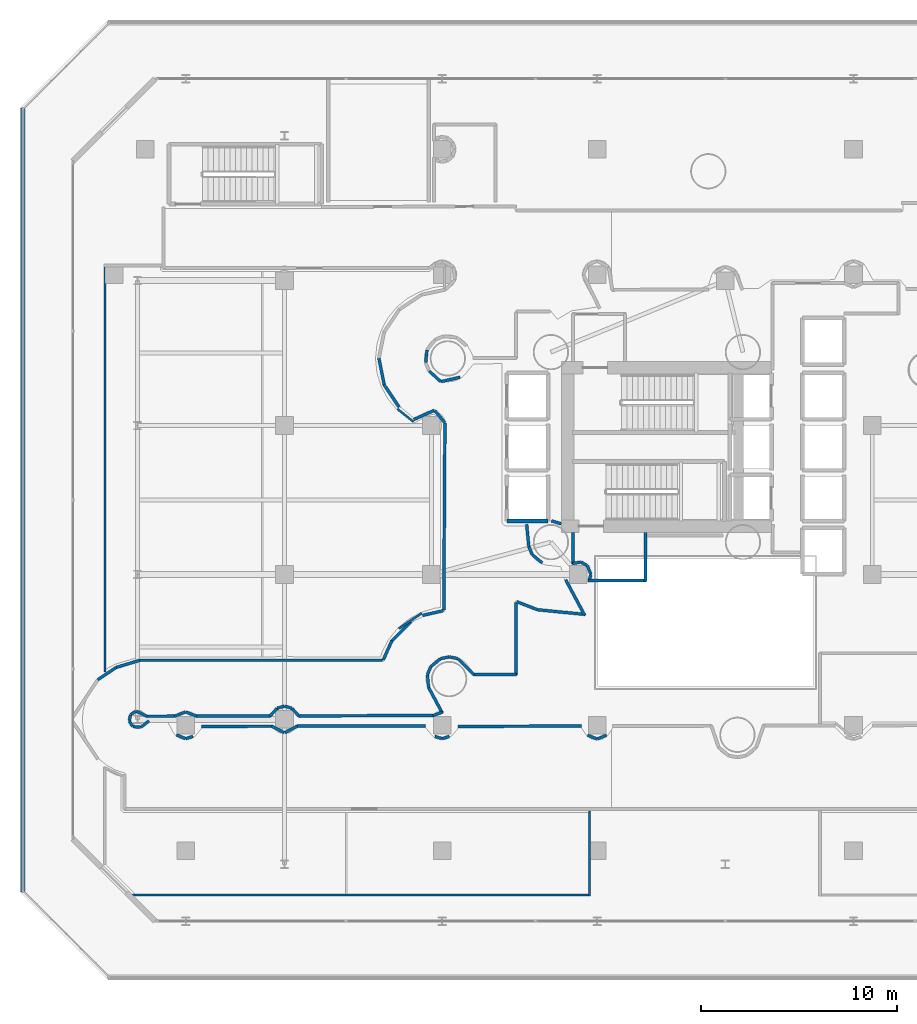
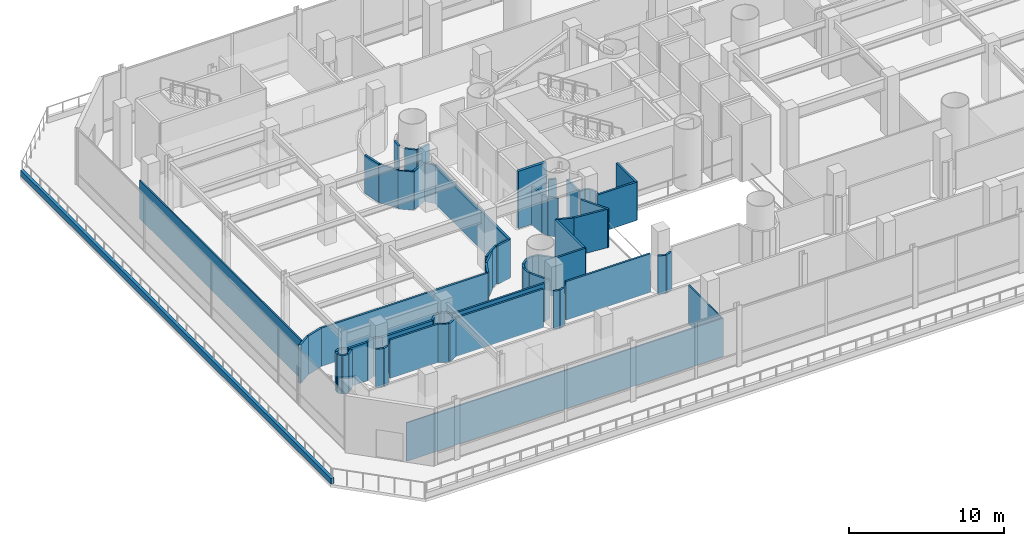
# One storey, part 26 of 39: 71 walls.
"""IFC4 building model written with IfcOpenShell, lengths in metres."""

from ifc_helpers import new_model, si_unit, direction, frame, frame_2d, origin, place, context, subcontext, project, spatial, rectangle, extrude, material, layer, layer_set, type_object, element, save


model = new_model("IFC4")

# Units and contexts
model_context = context("Model", 3, precision=1e-05, world=origin(), true_north=direction((0.0, 1.0)))
body_context = subcontext(model_context, "Body", "Model", "MODEL_VIEW")
ifc_project = project(units=[si_unit("LENGTHUNIT", "METRE"), si_unit("AREAUNIT", "SQUARE_METRE"), si_unit("VOLUMEUNIT", "CUBIC_METRE"), si_unit("PLANEANGLEUNIT", "RADIAN"), si_unit("MASSUNIT", "GRAM", prefix="KILO")], contexts=[model_context])

# Site, building, storey
site_placement = place(None, origin())
site = spatial("IfcSite", under=ifc_project, at=site_placement, CompositionType="ELEMENT")
building_placement = place(site_placement, origin())
building = spatial("IfcBuilding", under=site, at=building_placement, Name="Qianvela Tower", CompositionType="ELEMENT")
storey_placement = place(building_placement, frame((0.0, 0.0, 15.800048828125)))
storey = spatial("IfcBuildingStorey", under=building, at=storey_placement, Name="L03", CompositionType="ELEMENT", Elevation=15.800048828125)

# Walls
ifc_material_1 = material(Name="Fire-Rated Acoustic Gypsum Board")
ifc_layer_1 = layer(ifc_material_1, 0.14990234375)
ifc_layer_set_1 = layer_set([ifc_layer_1], Name="Fire-Rated Acoustic Gypsum Board")
wall_type_1 = type_object("IfcWallType", Name="WT-CORR-150", PredefinedType="PARTITIONING", material=ifc_layer_set_1)
wall_1_placement = place(storey_placement, frame((30.56689453125, 21.9638671875, 0.0), z_axis=(0.0, 0.0, 1.0), x_axis=(0.304515297416, 0.952507445451, 0.0)))
element("IfcWall", 1, at=wall_1_placement, inside=storey, type_object=wall_type_1, Name="L03 Partition 5", PredefinedType="PARTITIONING", context=body_context, shape_type="SweptSolid", body=[
    extrude(rectangle(XDim=0.238037109375, YDim=0.14990234375, at=frame_2d((0.119140625, 0.0))), origin(), (0.0, 0.0, 1.0), 3.02001953125),
])
wall_2_placement = place(storey_placement, frame((30.638671875, 22.2119140625, 0.0), z_axis=(0.0, 0.0, 1.0), x_axis=(-0.382721202621, 0.923863886655, 0.0)))
element("IfcWall", 2, at=wall_2_placement, inside=storey, type_object=wall_type_1, Name="L03 Partition 6", PredefinedType="PARTITIONING", context=body_context, shape_type="SweptSolid", body=[
    extrude(rectangle(XDim=0.467041015625, YDim=0.14990234375, at=frame_2d((0.2333984375, 0.0))), origin(), (0.0, 0.0, 1.0), 3.02001953125),
])
wall_3_placement = place(storey_placement, frame((30.44580078125, 22.65869140625, 0.0), z_axis=(0.0, 0.0, 1.0), x_axis=(-0.881817981942, 0.471589913721, 0.0)))
element("IfcWall", 3, at=wall_3_placement, inside=storey, type_object=wall_type_1, Name="L03 Partition 7", PredefinedType="PARTITIONING", context=body_context, shape_type="SweptSolid", body=[
    extrude(rectangle(XDim=0.35400390625, YDim=0.14990234375, at=frame_2d((0.177001953125, 0.0))), origin(), (0.0, 0.0, 1.0), 3.02001953125),
])
wall_4_placement = place(storey_placement, frame((30.114013671875, 22.828857421875, 0.0), z_axis=(0.0, 0.0, 1.0), x_axis=(-0.986222627979, -0.165423480989, 0.0)))
element("IfcWall", 4, at=wall_4_placement, inside=storey, type_object=wall_type_1, Name="L03 Partition 8", PredefinedType="PARTITIONING", context=body_context, shape_type="SweptSolid", body=[
    extrude(rectangle(XDim=0.425048828125, YDim=0.14990234375, at=frame_2d((0.21240234375, 0.0))), origin(), (0.0, 0.0, 1.0), 3.02001953125),
])
wall_5_placement = place(storey_placement, frame((29.73095703125, 22.72802734375, 0.0), z_axis=(0.0, 0.0, 1.0), x_axis=(0.0, 1.0, 0.0)))
element("IfcWall", 5, at=wall_5_placement, inside=storey, type_object=wall_type_1, Name="L03 Partition 9", PredefinedType="PARTITIONING", context=body_context, shape_type="SweptSolid", body=[
    extrude(rectangle(XDim=1.614013671875, YDim=0.14990234375, at=frame_2d((0.80712890625, 0.0))), origin(), (0.0, 0.0, 1.0), 3.02001953125),
])
wall_6_placement = place(storey_placement, frame((33.4189453125, 24.342041015625, 0.0), z_axis=(0.0, 0.0, 1.0), x_axis=(0.0, -1.0, 0.0)))
element("IfcWall", 6, at=wall_6_placement, inside=storey, type_object=wall_type_1, Name="L03 Partition 11", PredefinedType="PARTITIONING", context=body_context, shape_type="SweptSolid", body=[
    extrude(rectangle(XDim=2.491943359375, YDim=0.14990234375, at=frame_2d((1.24609375, 0.0))), origin(), (0.0, 0.0, 1.0), 3.02001953125),
])
wall_7_placement = place(storey_placement, frame((33.449951171875, 21.881103515625, 0.0), z_axis=(0.0, 0.0, 1.0), x_axis=(-1.0, 0.0, 0.0)))
element("IfcWall", 7, at=wall_7_placement, inside=storey, type_object=wall_type_1, Name="L03 Partition 12", PredefinedType="PARTITIONING", context=body_context, shape_type="SweptSolid", body=[
    extrude(rectangle(XDim=2.951904296875, YDim=0.14990234375, at=frame_2d((1.47607421875, 0.0))), origin(), (0.0, 0.0, 1.0), 3.02001953125),
])
wall_8_placement = place(storey_placement, frame((29.1298828125, 24.781982421875, 0.0), z_axis=(0.0, 0.0, 1.0), x_axis=(-0.955000482512, 0.296604245422, 0.0)))
element("IfcWall", 8, at=wall_8_placement, inside=storey, type_object=wall_type_1, Name="L03 Partition 29", PredefinedType="PARTITIONING", context=body_context, shape_type="SweptSolid", body=[
    extrude(rectangle(XDim=0.5244140625, YDim=0.14990234375, at=frame_2d((0.26220703125, 0.0))), origin(), (0.0, 0.0, 1.0), 3.02001953125),
])
wall_9_placement = place(storey_placement, frame((7.982177734375, 14.9580078125, 0.0), z_axis=(0.0, 0.0, 1.0), x_axis=(-0.901711421795, 0.432338422771, 0.0)))
element("IfcWall", 9, at=wall_9_placement, inside=storey, type_object=wall_type_1, Name="L03 Partition 36", PredefinedType="PARTITIONING", context=body_context, shape_type="SweptSolid", body=[
    extrude(rectangle(XDim=0.6064453125, YDim=0.14990234375, at=frame_2d((0.30322265625, 0.0))), origin(), (0.0, 0.0, 1.0), 3.02001953125),
])
for number, where, z_axis, x_axis, name in (
    (10, (7.40478515625, 15.218017578125, 0.0), (0.0, 0.0, 1.0), (-0.83180482467, -0.555068224325, 0.0), "L03 Partition 37"),
    (11, (7.136962890625, 15.0283203125, 0.0), (0.0, 0.0, 1.0), (-0.194582302114, -0.980886195083, 0.0), "L03 Partition 38"),
    (12, (7.081787109375, 14.70458984375, 0.0), (0.0, 0.0, 1.0), (0.555988102953, -0.831190248604, 0.0), "L03 Partition 39"),
):
    element("IfcWall", number, at=place(storey_placement, frame(where, z_axis=z_axis, x_axis=x_axis)), inside=storey, type_object=wall_type_1, Name=name, PredefinedType="PARTITIONING", context=body_context, shape_type="SweptSolid", body=[
        extrude(rectangle(XDim=0.30615234375, YDim=0.14990234375, at=frame_2d((0.153076171875, 0.0))), origin(), (0.0, 0.0, 1.0), 3.02001953125),
    ])
wall_10_placement = place(storey_placement, frame((7.274658203125, 14.4365234375, 0.0), z_axis=(0.0, 0.0, 1.0), x_axis=(0.995208778937, -0.097772625647, 0.0)))
element("IfcWall", 13, at=wall_10_placement, inside=storey, type_object=wall_type_1, Name="L03 Partition 40", PredefinedType="PARTITIONING", context=body_context, shape_type="SweptSolid", body=[
    extrude(rectangle(XDim=0.376953125, YDim=0.14990234375, at=frame_2d((0.1884765625, 0.0))), origin(), (0.0, 0.0, 1.0), 3.02001953125),
])
wall_11_placement = place(storey_placement, frame((7.672119140625, 14.406005859375, 0.0), z_axis=(0.0, 0.0, 1.0), x_axis=(0.791408132768, 0.611288121419, 0.0)))
element("IfcWall", 14, at=wall_11_placement, inside=storey, type_object=wall_type_1, Name="L03 Partition 41", PredefinedType="PARTITIONING", context=body_context, shape_type="SweptSolid", body=[
    extrude(rectangle(XDim=0.523193359375, YDim=0.14990234375, at=frame_2d((0.26171875, 0.0))), origin(), (0.0, 0.0, 1.0), 3.02001953125),
])
wall_12_placement = place(storey_placement, frame((9.48388671875, 14.01171875, 0.0), z_axis=(0.0, 0.0, 1.0), x_axis=(0.923873311503, -0.382698450862, 0.0)))
element("IfcWall", 15, at=wall_12_placement, inside=storey, type_object=wall_type_1, Name="L03 Partition 44", PredefinedType="PARTITIONING", context=body_context, shape_type="SweptSolid", body=[
    extrude(rectangle(XDim=0.49755859375, YDim=0.14990234375, at=frame_2d((0.248779296875, 0.0))), origin(), (0.0, 0.0, 1.0), 3.02001953125),
])
wall_13_placement = place(storey_placement, frame((9.96435546875, 13.8203125, 0.0), z_axis=(0.0, 0.0, 1.0), x_axis=(0.956877365317, 0.290492181898, 0.0)))
element("IfcWall", 16, at=wall_13_placement, inside=storey, type_object=wall_type_1, Name="L03 Partition 45", PredefinedType="PARTITIONING", context=body_context, shape_type="SweptSolid", body=[
    extrude(rectangle(XDim=0.37744140625, YDim=0.14990234375, at=frame_2d((0.188720703125, 0.0))), origin(), (0.0, 0.0, 1.0), 3.02001953125),
])
wall_14_placement = place(storey_placement, frame((10.772216796875, 14.4443359375, 0.0), z_axis=(0.0, 0.0, 1.0), x_axis=(0.999996839238, 0.002514262235, 0.0)))
element("IfcWall", 17, at=wall_14_placement, inside=storey, type_object=wall_type_1, Name="L03 Partition 47", PredefinedType="PARTITIONING", context=body_context, shape_type="SweptSolid", body=[
    extrude(rectangle(XDim=3.5927734375, YDim=0.14990234375, at=frame_2d((1.79638671875, 0.0))), origin(), (0.0, 0.0, 1.0), 3.02001953125),
])
wall_15_placement = place(storey_placement, frame((14.350341796875, 14.45703125, 0.0), z_axis=(0.0, 0.0, 1.0), x_axis=(0.884844444862, -0.46588658319, 0.0)))
element("IfcWall", 18, at=wall_15_placement, inside=storey, type_object=wall_type_1, Name="L03 Partition 48", PredefinedType="PARTITIONING", context=body_context, shape_type="SweptSolid", body=[
    extrude(rectangle(XDim=0.718017578125, YDim=0.14990234375, at=frame_2d((0.35888671875, 0.0))), origin(), (0.0, 0.0, 1.0), 3.02001953125),
])
wall_16_placement = place(storey_placement, frame((15.014404296875, 14.12255859375, 0.0), z_axis=(0.0, 0.0, 1.0), x_axis=(0.884206543693, 0.467096122967, 0.0)))
element("IfcWall", 19, at=wall_16_placement, inside=storey, type_object=wall_type_1, Name="L03 Partition 49", PredefinedType="PARTITIONING", context=body_context, shape_type="SweptSolid", body=[
    extrude(rectangle(XDim=0.722900390625, YDim=0.14990234375, at=frame_2d((0.361328125, 0.0))), origin(), (0.0, 0.0, 1.0), 3.02001953125),
])
wall_17_placement = place(storey_placement, frame((15.63916015625, 14.45654296875, 0.0), z_axis=(0.0, 0.0, 1.0), x_axis=(0.99999689636, 0.002491439538, 0.0)))
element("IfcWall", 20, at=wall_17_placement, inside=storey, type_object=wall_type_1, Name="L03 Partition 50", PredefinedType="PARTITIONING", context=body_context, shape_type="SweptSolid", body=[
    extrude(rectangle(XDim=6.5654296875, YDim=0.14990234375, at=frame_2d((3.28271484375, 0.0))), origin(), (0.0, 0.0, 1.0), 3.02001953125),
])
for number, where, z_axis, x_axis, name in (
    (21, (22.674560546875, 13.929931640625, 0.0), (0.0, 0.0, 1.0), (0.956877365317, -0.290492181898, 0.0), "L03 Partition 52"),
    (22, (23.0537109375, 13.8203125, 0.0), (0.0, 0.0, 1.0), (0.956877365317, 0.290492181898, 0.0), "L03 Partition 53"),
):
    element("IfcWall", number, at=place(storey_placement, frame(where, z_axis=z_axis, x_axis=x_axis)), inside=storey, type_object=wall_type_1, Name=name, PredefinedType="PARTITIONING", context=body_context, shape_type="SweptSolid", body=[
        extrude(rectangle(XDim=0.37744140625, YDim=0.14990234375, at=frame_2d((0.188720703125, 0.0))), origin(), (0.0, 0.0, 1.0), 3.02001953125),
    ])
wall_18_placement = place(storey_placement, frame((23.861328125, 14.4443359375, 0.0), z_axis=(0.0, 0.0, 1.0), x_axis=(0.999996837175, 0.002515082588, 0.0)))
element("IfcWall", 23, at=wall_18_placement, inside=storey, type_object=wall_type_1, Name="L03 Partition 55", PredefinedType="PARTITIONING", context=body_context, shape_type="SweptSolid", body=[
    extrude(rectangle(XDim=6.3095703125, YDim=0.14990234375, at=frame_2d((3.15478515625, 0.0))), origin(), (0.0, 0.0, 1.0), 3.02001953125),
])
wall_19_placement = place(storey_placement, frame((30.4697265625, 13.99755859375, 0.0), z_axis=(0.0, 0.0, 1.0), x_axis=(0.924045828763, -0.382281710714, 0.0)))
element("IfcWall", 24, at=wall_19_placement, inside=storey, type_object=wall_type_1, Name="L03 Partition 56", PredefinedType="PARTITIONING", context=body_context, shape_type="SweptSolid", body=[
    extrude(rectangle(XDim=0.512939453125, YDim=0.14990234375, at=frame_2d((0.25634765625, 0.0))), origin(), (0.0, 0.0, 1.0), 3.02001953125),
])
wall_20_placement = place(storey_placement, frame((30.96728515625, 13.801513671875, 0.0), z_axis=(0.0, 0.0, 1.0), x_axis=(0.923976210744, 0.382449947024, 0.0)))
element("IfcWall", 25, at=wall_20_placement, inside=storey, type_object=wall_type_1, Name="L03 Partition 57", PredefinedType="PARTITIONING", context=body_context, shape_type="SweptSolid", body=[
    extrude(rectangle(XDim=0.5126953125, YDim=0.14990234375, at=frame_2d((0.25634765625, 0.0))), origin(), (0.0, 0.0, 1.0), 3.02001953125),
])
wall_21_placement = place(storey_placement, frame((5.466552734375, 16.82470703125, 0.0), z_axis=(0.0, 0.0, 1.0), x_axis=(0.831385943955, 0.555695431144, 0.0)))
element("IfcWall", 26, at=wall_21_placement, inside=storey, type_object=wall_type_1, Name="L03 Partition 92", PredefinedType="PARTITIONING", context=body_context, shape_type="SweptSolid", body=[
    extrude(rectangle(XDim=1.1318359375, YDim=0.14990234375, at=frame_2d((0.56591796875, 0.0))), origin(), (0.0, 0.0, 1.0), 3.02001953125),
])
wall_22_placement = place(storey_placement, frame((6.399169921875, 17.44970703125, 0.0), z_axis=(0.0, 0.0, 1.0), x_axis=(0.956969723054, 0.29018778258, 0.0)))
element("IfcWall", 27, at=wall_22_placement, inside=storey, type_object=wall_type_1, Name="L03 Partition 93", PredefinedType="PARTITIONING", context=body_context, shape_type="SweptSolid", body=[
    extrude(rectangle(XDim=1.277099609375, YDim=0.14990234375, at=frame_2d((0.638671875, 0.0))), origin(), (0.0, 0.0, 1.0), 3.02001953125),
])
wall_23_placement = place(storey_placement, frame((7.6123046875, 17.819091796875, 0.0), z_axis=(0.0, 0.0, 1.0), x_axis=(1.0, 0.0, 0.0)))
element("IfcWall", 28, at=wall_23_placement, inside=storey, type_object=wall_type_1, Name="L03 Partition 94", PredefinedType="PARTITIONING", context=body_context, shape_type="SweptSolid", body=[
    extrude(rectangle(XDim=12.400146484375, YDim=0.14990234375, at=frame_2d((6.2001953125, 0.0))), origin(), (0.0, 0.0, 1.0), 3.02001953125),
])
wall_24_placement = place(storey_placement, frame((20.040771484375, 17.83740234375, 0.0), z_axis=(0.0, 0.0, 1.0), x_axis=(0.408788829115, 0.912629000849, 0.0)))
element("IfcWall", 29, at=wall_24_placement, inside=storey, type_object=wall_type_1, Name="L03 Partition 95", PredefinedType="PARTITIONING", context=body_context, shape_type="SweptSolid", body=[
    extrude(rectangle(XDim=1.076171875, YDim=0.14990234375, at=frame_2d((0.5380859375, 0.0))), origin(), (0.0, 0.0, 1.0), 3.02001953125),
])
wall_25_placement = place(storey_placement, frame((20.47412109375, 18.810302734375, 0.0), z_axis=(0.0, 0.0, 1.0), x_axis=(0.707106781187, 0.707106781187, 0.0)))
element("IfcWall", 30, at=wall_25_placement, inside=storey, type_object=wall_type_1, Name="L03 Partition 96", PredefinedType="PARTITIONING", context=body_context, shape_type="SweptSolid", body=[
    extrude(rectangle(XDim=1.38525390625, YDim=0.14990234375, at=frame_2d((0.692626953125, 0.0))), origin(), (0.0, 0.0, 1.0), 3.02001953125),
])
wall_26_placement = place(storey_placement, frame((22.052490234375, 20.109619140625, 0.0), z_axis=(0.0, 0.0, 1.0), x_axis=(0.975015186626, 0.222138213392, 0.0)))
element("IfcWall", 31, at=wall_26_placement, inside=storey, type_object=wall_type_1, Name="L03 Partition 98", PredefinedType="PARTITIONING", context=body_context, shape_type="SweptSolid", body=[
    extrude(rectangle(XDim=1.08154296875, YDim=0.14990234375, at=frame_2d((0.540771484375, 0.0))), origin(), (0.0, 0.0, 1.0), 3.02001953125),
])
wall_27_placement = place(storey_placement, frame((23.131103515625, 20.3798828125, 0.0), z_axis=(0.0, 0.0, 1.0), x_axis=(0.005956079326, 0.999982262402, 0.0)))
element("IfcWall", 32, at=wall_27_placement, inside=storey, type_object=wall_type_1, Name="L03 Partition 99", PredefinedType="PARTITIONING", context=body_context, shape_type="SweptSolid", body=[
    extrude(rectangle(XDim=9.55078125, YDim=0.14990234375, at=frame_2d((4.775390625, 0.0))), origin(), (0.0, 0.0, 1.0), 3.02001953125),
])
wall_28_placement = place(storey_placement, frame((23.180908203125, 29.95068359375, 0.0), z_axis=(0.0, 0.0, 1.0), x_axis=(-0.640697591863, 0.767793328821, 0.0)))
element("IfcWall", 33, at=wall_28_placement, inside=storey, type_object=wall_type_1, Name="L03 Partition 100", PredefinedType="PARTITIONING", context=body_context, shape_type="SweptSolid", body=[
    extrude(rectangle(XDim=0.795166015625, YDim=0.14990234375, at=frame_2d((0.3974609375, 0.0))), origin(), (0.0, 0.0, 1.0), 3.02001953125),
])
wall_29_placement = place(storey_placement, frame((22.635009765625, 30.56982421875, 0.0), z_axis=(0.0, 0.0, 1.0), x_axis=(-0.913740840528, -0.406297521961, 0.0)))
element("IfcWall", 34, at=wall_29_placement, inside=storey, type_object=wall_type_1, Name="L03 Partition 101", PredefinedType="PARTITIONING", context=body_context, shape_type="SweptSolid", body=[
    extrude(rectangle(XDim=1.139404296875, YDim=0.14990234375, at=frame_2d((0.56982421875, 0.0))), origin(), (0.0, 0.0, 1.0), 3.02001953125),
])
for number, where, z_axis, x_axis, name in (
    (35, (20.853515625, 30.735107421875, 0.0), (0.0, 0.0, 1.0), (-0.555594771308, 0.831453215819, 0.0), "L03 Partition 103"),
    (36, (20.088623046875, 31.87548828125, 0.0), (0.0, 0.0, 1.0), (-0.195132981816, 0.980776793877, 0.0), "L03 Partition 104"),
):
    element("IfcWall", number, at=place(storey_placement, frame(where, z_axis=z_axis, x_axis=x_axis)), inside=storey, type_object=wall_type_1, Name=name, PredefinedType="PARTITIONING", context=body_context, shape_type="SweptSolid", body=[
        extrude(rectangle(XDim=1.385009765625, YDim=0.14990234375, at=frame_2d((0.6923828125, 0.0))), origin(), (0.0, 0.0, 1.0), 3.02001953125),
    ])
wall_30_placement = place(storey_placement, frame((22.2724609375, 33.65966796875, 0.0), z_axis=(0.0, 0.0, 1.0), x_axis=(-0.097979696722, -0.995188413834, 0.0)))
element("IfcWall", 37, at=wall_30_placement, inside=storey, type_object=wall_type_1, Name="L03 Partition 148", PredefinedType="PARTITIONING", context=body_context, shape_type="SweptSolid", body=[
    extrude(rectangle(XDim=0.650390625, YDim=0.14990234375, at=frame_2d((0.3251953125, 0.0))), origin(), (0.0, 0.0, 1.0), 3.02001953125),
])
wall_31_placement = place(storey_placement, frame((22.3857421875, 32.5830078125, 0.0), z_axis=(0.0, 0.0, 1.0), x_axis=(0.737256999292, -0.675612401452, 0.0)))
element("IfcWall", 38, at=wall_31_placement, inside=storey, type_object=wall_type_1, Name="L03 Partition 150", PredefinedType="PARTITIONING", context=body_context, shape_type="SweptSolid", body=[
    extrude(rectangle(XDim=0.7880859375, YDim=0.14990234375, at=frame_2d((0.39404296875, 0.0))), origin(), (0.0, 0.0, 1.0), 3.02001953125),
])
wall_32_placement = place(storey_placement, frame((22.99462890625, 32.043212890625, 0.0), z_axis=(0.0, 0.0, 1.0), x_axis=(0.974625677984, 0.22384098779, 0.0)))
element("IfcWall", 39, at=wall_32_placement, inside=storey, type_object=wall_type_1, Name="L03 Partition 151", PredefinedType="PARTITIONING", context=body_context, shape_type="SweptSolid", body=[
    extrude(rectangle(XDim=0.998046875, YDim=0.14990234375, at=frame_2d((0.4990234375, 0.0))), origin(), (0.0, 0.0, 1.0), 3.02001953125),
])
wall_33_placement = place(storey_placement, frame((27.359619140625, 24.757080078125, 0.0), z_axis=(0.0, 0.0, 1.0), x_axis=(0.097947688066, -0.995191564676, 0.0)))
element("IfcWall", 40, at=wall_33_placement, inside=storey, type_object=wall_type_1, Name="L03 Partition 156", PredefinedType="PARTITIONING", context=body_context, shape_type="SweptSolid", body=[
    extrude(rectangle(XDim=1.134033203125, YDim=0.14990234375, at=frame_2d((0.56689453125, 0.0))), origin(), (0.0, 0.0, 1.0), 3.02001953125),
])
wall_34_placement = place(storey_placement, frame((27.472900390625, 23.61962890625, 0.0), z_axis=(0.0, 0.0, 1.0), x_axis=(0.382631351728, -0.923901103298, 0.0)))
element("IfcWall", 41, at=wall_34_placement, inside=storey, type_object=wall_type_1, Name="L03 Partition 157", PredefinedType="PARTITIONING", context=body_context, shape_type="SweptSolid", body=[
    extrude(rectangle(XDim=0.43701171875, YDim=0.14990234375, at=frame_2d((0.218505859375, 0.0))), origin(), (0.0, 0.0, 1.0), 3.02001953125),
])
wall_35_placement = place(storey_placement, frame((27.649169921875, 23.203857421875, 0.0), z_axis=(0.0, 0.0, 1.0), x_axis=(0.772818338666, -0.634627304346, 0.0)))
element("IfcWall", 42, at=wall_35_placement, inside=storey, type_object=wall_type_1, Name="L03 Partition 158", PredefinedType="PARTITIONING", context=body_context, shape_type="SweptSolid", body=[
    extrude(rectangle(XDim=0.650146484375, YDim=0.14990234375, at=frame_2d((0.3251953125, 0.0))), origin(), (0.0, 0.0, 1.0), 3.02001953125),
])
wall_36_placement = place(storey_placement, frame((29.353759765625, 21.928955078125, 0.0), z_axis=(0.0, 0.0, 1.0), x_axis=(0.471375681313, -0.881932518432, 0.0)))
element("IfcWall", 43, at=wall_36_placement, inside=storey, type_object=wall_type_1, Name="L03 Partition 161", PredefinedType="PARTITIONING", context=body_context, shape_type="SweptSolid", body=[
    extrude(rectangle(XDim=2.059326171875, YDim=0.14990234375, at=frame_2d((1.02978515625, 0.0))), origin(), (0.0, 0.0, 1.0), 3.02001953125),
])
wall_37_placement = place(storey_placement, frame((30.354736328125, 20.158203125, 0.0), z_axis=(0.0, 0.0, 1.0), x_axis=(-0.995175956992, 0.098106139588, 0.0)))
element("IfcWall", 44, at=wall_37_placement, inside=storey, type_object=wall_type_1, Name="L03 Partition 162", PredefinedType="PARTITIONING", context=body_context, shape_type="SweptSolid", body=[
    extrude(rectangle(XDim=2.456298828125, YDim=0.14990234375, at=frame_2d((1.22802734375, 0.0))), origin(), (0.0, 0.0, 1.0), 3.02001953125),
])
wall_38_placement = place(storey_placement, frame((27.918701171875, 20.397216796875, 0.0), z_axis=(0.0, 0.0, 1.0), x_axis=(-0.932053116436, 0.362321663915, 0.0)))
element("IfcWall", 45, at=wall_38_placement, inside=storey, type_object=wall_type_1, Name="L03 Partition 163", PredefinedType="PARTITIONING", context=body_context, shape_type="SweptSolid", body=[
    extrude(rectangle(XDim=1.134765625, YDim=0.14990234375, at=frame_2d((0.5673828125, 0.0))), origin(), (0.0, 0.0, 1.0), 3.02001953125),
])
wall_39_placement = place(storey_placement, frame((26.819091796875, 20.779541015625, 0.0), z_axis=(0.0, 0.0, 1.0), x_axis=(0.0, -1.0, 0.0)))
element("IfcWall", 46, at=wall_39_placement, inside=storey, type_object=wall_type_1, Name="L03 Partition 164", PredefinedType="PARTITIONING", context=body_context, shape_type="SweptSolid", body=[
    extrude(rectangle(XDim=3.713623046875, YDim=0.14990234375, at=frame_2d((1.85693359375, 0.0))), origin(), (0.0, 0.0, 1.0), 3.02001953125),
])
wall_40_placement = place(storey_placement, frame((26.849853515625, 17.096923828125, 0.0), z_axis=(0.0, 0.0, 1.0), x_axis=(-0.999996725859, -0.002558959134, 0.0)))
element("IfcWall", 47, at=wall_40_placement, inside=storey, type_object=wall_type_1, Name="L03 Partition 165", PredefinedType="PARTITIONING", context=body_context, shape_type="SweptSolid", body=[
    extrude(rectangle(XDim=2.1943359375, YDim=0.14990234375, at=frame_2d((1.09716796875, 0.0))), origin(), (0.0, 0.0, 1.0), 3.02001953125),
])
wall_41_placement = place(storey_placement, frame((24.677490234375, 17.08251953125, 0.0), z_axis=(0.0, 0.0, 1.0), x_axis=(-0.713472491748, 0.700683240501, 0.0)))
element("IfcWall", 48, at=wall_41_placement, inside=storey, type_object=wall_type_1, Name="L03 Partition 166", PredefinedType="PARTITIONING", context=body_context, shape_type="SweptSolid", body=[
    extrude(rectangle(XDim=1.16455078125, YDim=0.14990234375, at=frame_2d((0.582275390625, 0.0))), origin(), (0.0, 0.0, 1.0), 3.02001953125),
])
wall_42_placement = place(storey_placement, frame((23.8310546875, 17.90673828125, 0.0), z_axis=(0.0, 0.0, 1.0), x_axis=(-0.980798750293, 0.195022592087, 0.0)))
element("IfcWall", 49, at=wall_42_placement, inside=storey, type_object=wall_type_1, Name="L03 Partition 167", PredefinedType="PARTITIONING", context=body_context, shape_type="SweptSolid", body=[
    extrude(rectangle(XDim=0.429443359375, YDim=0.14990234375, at=frame_2d((0.21484375, 0.0))), origin(), (0.0, 0.0, 1.0), 3.02001953125),
])
wall_43_placement = place(storey_placement, frame((23.39794921875, 17.990478515625, 0.0), z_axis=(0.0, 0.0, 1.0), x_axis=(-0.980777106964, -0.195131408172, 0.0)))
element("IfcWall", 50, at=wall_43_placement, inside=storey, type_object=wall_type_1, Name="L03 Partition 168", PredefinedType="PARTITIONING", context=body_context, shape_type="SweptSolid", body=[
    extrude(rectangle(XDim=0.42919921875, YDim=0.14990234375, at=frame_2d((0.214599609375, 0.0))), origin(), (0.0, 0.0, 1.0), 3.02001953125),
])
wall_44_placement = place(storey_placement, frame((22.96337890625, 17.900146484375, 0.0), z_axis=(0.0, 0.0, 1.0), x_axis=(-0.773087792469, -0.634299034474, 0.0)))
element("IfcWall", 51, at=wall_44_placement, inside=storey, type_object=wall_type_1, Name="L03 Partition 169", PredefinedType="PARTITIONING", context=body_context, shape_type="SweptSolid", body=[
    extrude(rectangle(XDim=0.638427734375, YDim=0.14990234375, at=frame_2d((0.3193359375, 0.0))), origin(), (0.0, 0.0, 1.0), 3.02001953125),
])
wall_45_placement = place(storey_placement, frame((22.460693359375, 17.48291015625, 0.0), z_axis=(0.0, 0.0, 1.0), x_axis=(-0.38283742983, -0.923815729635, 0.0)))
element("IfcWall", 52, at=wall_45_placement, inside=storey, type_object=wall_type_1, Name="L03 Partition 170", PredefinedType="PARTITIONING", context=body_context, shape_type="SweptSolid", body=[
    extrude(rectangle(XDim=0.42919921875, YDim=0.14990234375, at=frame_2d((0.214599609375, 0.0))), origin(), (0.0, 0.0, 1.0), 3.02001953125),
])
wall_46_placement = place(storey_placement, frame((22.294189453125, 17.071533203125, 0.0), z_axis=(0.0, 0.0, 1.0), x_axis=(0.098254498399, -0.995161320362, 0.0)))
element("IfcWall", 53, at=wall_46_placement, inside=storey, type_object=wall_type_1, Name="L03 Partition 171", PredefinedType="PARTITIONING", context=body_context, shape_type="SweptSolid", body=[
    extrude(rectangle(XDim=0.638671875, YDim=0.14990234375, at=frame_2d((0.3193359375, 0.0))), origin(), (0.0, 0.0, 1.0), 3.02001953125),
])
wall_47_placement = place(storey_placement, frame((22.3603515625, 16.42431640625, 0.0), z_axis=(0.0, 0.0, 1.0), x_axis=(0.471504621347, -0.881863590386, 0.0)))
element("IfcWall", 54, at=wall_47_placement, inside=storey, type_object=wall_type_1, Name="L03 Partition 172", PredefinedType="PARTITIONING", context=body_context, shape_type="SweptSolid", body=[
    extrude(rectangle(XDim=1.46533203125, YDim=0.14990234375, at=frame_2d((0.732666015625, 0.0))), origin(), (0.0, 0.0, 1.0), 3.02001953125),
])
wall_48_placement = place(storey_placement, frame((23.067626953125, 15.17578125, 0.0), z_axis=(0.0, 0.0, 1.0), x_axis=(-0.937469307534, -0.348067949447, 0.0)))
element("IfcWall", 55, at=wall_48_placement, inside=storey, type_object=wall_type_1, Name="L03 Partition 173", PredefinedType="PARTITIONING", context=body_context, shape_type="SweptSolid", body=[
    extrude(rectangle(XDim=0.516845703125, YDim=0.14990234375, at=frame_2d((0.25830078125, 0.0))), origin(), (0.0, 0.0, 1.0), 3.02001953125),
])
wall_49_placement = place(storey_placement, frame((22.593505859375, 14.997802734375, 0.0), z_axis=(0.0, 0.0, 1.0), x_axis=(-0.999996914371, -0.002484199872, 0.0)))
element("IfcWall", 56, at=wall_49_placement, inside=storey, type_object=wall_type_1, Name="L03 Partition 174", PredefinedType="PARTITIONING", context=body_context, shape_type="SweptSolid", body=[
    extrude(rectangle(XDim=6.87939453125, YDim=0.14990234375, at=frame_2d((3.439697265625, 0.0))), origin(), (0.0, 0.0, 1.0), 3.02001953125),
])
wall_50_placement = place(storey_placement, frame((15.737060546875, 14.97021484375, 0.0), z_axis=(0.0, 0.0, 1.0), x_axis=(-0.67026978841, 0.74211751815, 0.0)))
element("IfcWall", 57, at=wall_50_placement, inside=storey, type_object=wall_type_1, Name="L03 Partition 175", PredefinedType="PARTITIONING", context=body_context, shape_type="SweptSolid", body=[
    extrude(rectangle(XDim=0.526611328125, YDim=0.14990234375, at=frame_2d((0.26318359375, 0.0))), origin(), (0.0, 0.0, 1.0), 3.02001953125),
])
for number, where, z_axis, x_axis, name in (
    (58, (15.3701171875, 15.3701171875, 0.0), (0.0, 0.0, 1.0), (-0.956877365317, 0.290492181898, 0.0), "L03 Partition 176"),
    (59, (14.990966796875, 15.479736328125, 0.0), (0.0, 0.0, 1.0), (-0.956877365317, -0.290492181898, 0.0), "L03 Partition 177"),
):
    element("IfcWall", number, at=place(storey_placement, frame(where, z_axis=z_axis, x_axis=x_axis)), inside=storey, type_object=wall_type_1, Name=name, PredefinedType="PARTITIONING", context=body_context, shape_type="SweptSolid", body=[
        extrude(rectangle(XDim=0.37744140625, YDim=0.14990234375, at=frame_2d((0.188720703125, 0.0))), origin(), (0.0, 0.0, 1.0), 3.02001953125),
    ])
wall_51_placement = place(storey_placement, frame((14.615966796875, 15.361083984375, 0.0), z_axis=(0.0, 0.0, 1.0), x_axis=(-0.670106609801, -0.742264866137, 0.0)))
element("IfcWall", 60, at=wall_51_placement, inside=storey, type_object=wall_type_1, Name="L03 Partition 178", PredefinedType="PARTITIONING", context=body_context, shape_type="SweptSolid", body=[
    extrude(rectangle(XDim=0.53125, YDim=0.14990234375, at=frame_2d((0.265625, 0.0))), origin(), (0.0, 0.0, 1.0), 3.02001953125),
])
wall_52_placement = place(storey_placement, frame((14.282958984375, 14.97705078125, 0.0), z_axis=(0.0, 0.0, 1.0), x_axis=(-0.999996814453, -0.002524100431, 0.0)))
element("IfcWall", 61, at=wall_52_placement, inside=storey, type_object=wall_type_1, Name="L03 Partition 179", PredefinedType="PARTITIONING", context=body_context, shape_type="SweptSolid", body=[
    extrude(rectangle(XDim=3.772216796875, YDim=0.14990234375, at=frame_2d((1.88623046875, 0.0))), origin(), (0.0, 0.0, 1.0), 3.02001953125),
])
wall_53_placement = place(storey_placement, frame((10.52197265625, 14.965576171875, 0.0), z_axis=(0.0, 0.0, 1.0), x_axis=(-0.933483016847, 0.358621607351, 0.0)))
element("IfcWall", 62, at=wall_53_placement, inside=storey, type_object=wall_type_1, Name="L03 Partition 180", PredefinedType="PARTITIONING", context=body_context, shape_type="SweptSolid", body=[
    extrude(rectangle(XDim=0.594970703125, YDim=0.14990234375, at=frame_2d((0.29736328125, 0.0))), origin(), (0.0, 0.0, 1.0), 3.02001953125),
])
wall_54_placement = place(storey_placement, frame((9.944091796875, 15.178955078125, 0.0), z_axis=(0.0, 0.0, 1.0), x_axis=(-0.932947074908, -0.360013548941, 0.0)))
element("IfcWall", 63, at=wall_54_placement, inside=storey, type_object=wall_type_1, Name="L03 Partition 181", PredefinedType="PARTITIONING", context=body_context, shape_type="SweptSolid", body=[
    extrude(rectangle(XDim=0.600830078125, YDim=0.14990234375, at=frame_2d((0.30029296875, 0.0))), origin(), (0.0, 0.0, 1.0), 3.02001953125),
])
wall_55_placement = place(storey_placement, frame((9.39453125, 14.96484375, 0.0), z_axis=(0.0, 0.0, 1.0), x_axis=(-0.999996701438, -0.002568484678, 0.0)))
element("IfcWall", 64, at=wall_55_placement, inside=storey, type_object=wall_type_1, Name="L03 Partition 182", PredefinedType="PARTITIONING", context=body_context, shape_type="SweptSolid", body=[
    extrude(rectangle(XDim=1.42578125, YDim=0.14990234375, at=frame_2d((0.712890625, 0.0))), origin(), (0.0, 0.0, 1.0), 3.02001953125),
])
ifc_material_2 = material(Name="Terracotta Coping on Concrete C40", Category="masonry")
ifc_layer_2 = layer(ifc_material_2, 0.219970703125)
ifc_layer_set_2 = layer_set([ifc_layer_2], Name="Terracotta Coping on Concrete C40")
wall_type_2 = type_object("IfcWallType", Name="WT-PARAPET-220", PredefinedType="PARAPET", material=ifc_layer_set_2)
wall_56_placement = place(storey_placement, frame((1.64990234375, 46.0, 0.0), z_axis=(0.0, 0.0, 1.0), x_axis=(0.0, -1.0, 0.0)))
element("IfcWall", 65, at=wall_56_placement, inside=storey, type_object=wall_type_2, Name="L03 Terrace Upstand Parapet 7", PredefinedType="PARAPET", context=body_context, shape_type="SweptSolid", body=[
    extrude(rectangle(XDim=40.0, YDim=0.219970703125, at=frame_2d((20.0, 0.0))), origin(), (0.0, 0.0, 1.0), 0.449951171875),
])
ifc_material_3 = material(Name="Lightweight Gypsum Room Partition")
ifc_layer_3 = layer(ifc_material_3, 0.10498046875)
ifc_layer_set_3 = layer_set([ifc_layer_3], Name="Lightweight Gypsum Room Partition")
wall_type_3 = type_object("IfcWallType", Name="WT-PART-105", PredefinedType="PARTITIONING", material=ifc_layer_set_3)
wall_57_placement = place(storey_placement, frame((30.60009765625, 5.8310546875, 0.0), z_axis=(0.0, 0.0, 1.0), x_axis=(-1.0, 0.0, 0.0)))
element("IfcWall", 66, at=wall_57_placement, inside=storey, type_object=wall_type_3, Name="L03 Partition 196", PredefinedType="PARTITIONING", context=body_context, shape_type="SweptSolid", body=[
    extrude(rectangle(XDim=23.551025390625, YDim=0.10498046875, at=frame_2d((11.775390625, 0.0))), origin(), (0.0, 0.0, 1.0), 3.02001953125),
])
wall_58_placement = place(storey_placement, frame((30.569091796875, 10.137939453125, 0.0), z_axis=(0.0, 0.0, 1.0), x_axis=(0.0, -1.0, 0.0)))
element("IfcWall", 67, at=wall_58_placement, inside=storey, type_object=wall_type_3, Name="L03 Partition 202", PredefinedType="PARTITIONING", context=body_context, shape_type="SweptSolid", body=[
    extrude(rectangle(XDim=4.337890625, YDim=0.10498046875, at=frame_2d((2.1689453125, 0.0))), origin(), (0.0, 0.0, 1.0), 3.02001953125),
])
wall_59_placement = place(storey_placement, frame((20.764404296875, 30.64990234375, 0.0), z_axis=(0.0, 0.0, 1.0), x_axis=(0.779139278088, -0.626850847762, 0.0)))
element("IfcWall", 68, at=wall_59_placement, inside=storey, type_object=wall_type_3, Name="L03 Partition 241", PredefinedType="PARTITIONING", context=body_context, shape_type="SweptSolid", body=[
    extrude(rectangle(XDim=1.04833984375, YDim=0.10498046875, at=frame_2d((0.524169921875, 0.0))), origin(), (0.0, 0.0, 1.0), 3.02001953125),
])
wall_60_placement = place(storey_placement, frame((5.8310546875, 17.218505859375, 0.0), z_axis=(0.0, 0.0, 1.0), x_axis=(0.0, 1.0, 0.0)))
element("IfcWall", 69, at=wall_60_placement, inside=storey, type_object=wall_type_3, Name="L03 Partition 250", PredefinedType="PARTITIONING", context=body_context, shape_type="SweptSolid", body=[
    extrude(rectangle(XDim=20.781494140625, YDim=0.10498046875, at=frame_2d((10.390625, 0.0))), origin(), (0.0, 0.0, 1.0), 3.02001953125),
])
ifc_material_4 = material(Name="Insulated Gypsum Stud Partition")
ifc_layer_4 = layer(ifc_material_4, 0.1201171875)
ifc_layer_set_4 = layer_set([ifc_layer_4], Name="Insulated Gypsum Stud Partition")
wall_type_4 = type_object("IfcWallType", Name="WT-PART-120", PredefinedType="PARTITIONING", material=ifc_layer_set_4)
wall_61_placement = place(storey_placement, frame((22.00439453125, 20.222900390625, 0.0), z_axis=(0.0, 0.0, 1.0), x_axis=(-0.831755764533, -0.555141737006, 0.0)))
element("IfcWall", 70, at=wall_61_placement, inside=storey, type_object=wall_type_4, Name="L03 Partition 246", PredefinedType="PARTITIONING", context=body_context, shape_type="SweptSolid", body=[
    extrude(rectangle(XDim=1.4033203125, YDim=0.1201171875, at=frame_2d((0.70166015625, 0.0))), origin(), (0.0, 0.0, 1.0), 3.02001953125),
])
ifc_material_5 = material(Name="Concrete C50", Category="concrete")
ifc_layer_5 = layer(ifc_material_5, 0.199951171875)
ifc_layer_set_5 = layer_set([ifc_layer_5], Name="Concrete C50")
wall_type_5 = type_object("IfcWallType", Name="WT-SHAFT-200", PredefinedType="SOLIDWALL", material=ifc_layer_set_5)
wall_62_placement = place(storey_placement, frame((26.35009765625, 24.919921875, 0.0), z_axis=(0.0, 0.0, 1.0), x_axis=(1.0, 0.0, 0.0)))
element("IfcWall", 71, at=wall_62_placement, inside=storey, type_object=wall_type_5, Name="L03 Lift PL-L3 S Shaft Wall", PredefinedType="SOLIDWALL", context=body_context, shape_type="SweptSolid", body=[
    extrude(rectangle(XDim=2.099853515625, YDim=0.199951171875, at=frame_2d((1.0498046875, 0.0))), origin(), (0.0, 0.0, 1.0), 4.5),
])

save(model, "model.ifc")
